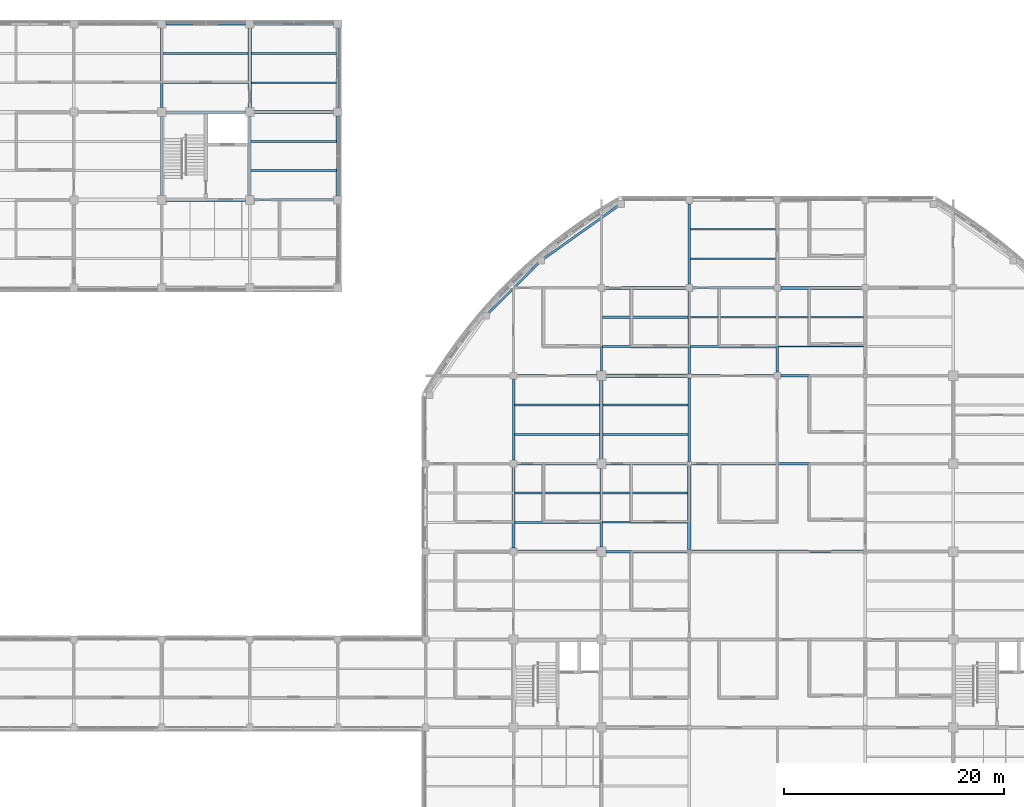
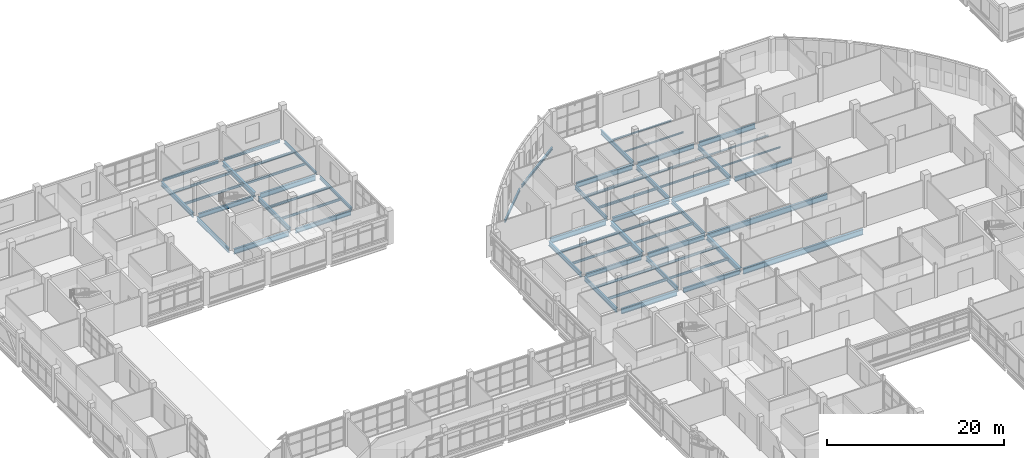
# One storey, part 37 of 121: 59 beams.
"""IFC4 building model written with IfcOpenShell, lengths in metres."""

from ifc_helpers import new_model, si_unit, derived_unit, direction, frame, origin, origin_2d, place, context, subcontext, project, spatial, i_section, extrude, material, material_profile, profile_set, type_object, element, save


model = new_model("IFC4")

# Units and contexts
model_context = context("Model", 3, precision=1e-05, world=origin(), true_north=direction((0.0, 1.0)))
body_context = subcontext(model_context, "Body", "Model", "MODEL_VIEW")
ifc_project = project(units=[si_unit("LENGTHUNIT", "METRE"), si_unit("AREAUNIT", "SQUARE_METRE"), si_unit("VOLUMEUNIT", "CUBIC_METRE"), si_unit("PLANEANGLEUNIT", "RADIAN"), si_unit("MASSUNIT", "GRAM", prefix="KILO"), derived_unit("THERMALTRANSMITTANCEUNIT", [(si_unit("MASSUNIT", "GRAM", prefix="KILO"), 1), (si_unit("TIMEUNIT", "SECOND"), -3), (si_unit("THERMODYNAMICTEMPERATUREUNIT", "KELVIN"), -1)])], contexts=[model_context])

# Site, building, storey
site_placement = place(None, origin())
site = spatial("IfcSite", under=ifc_project, at=site_placement, CompositionType="ELEMENT")
building_placement = place(site_placement, origin())
building = spatial("IfcBuilding", under=site, at=building_placement, Name="Veyamyaing Civic Hall", CompositionType="ELEMENT")
storey_placement = place(building_placement, frame((0.0, 0.0, 5.280029296875)))
storey = spatial("IfcBuildingStorey", under=building, at=storey_placement, Name="L01", CompositionType="ELEMENT", Elevation=5.280029296875)

# Beams
ifc_material = material(Name="Steel ASTM A992", Category="steel")
ifc_material_profile_1 = material_profile(ifc_material, i_section(OverallWidth=0.26806640625, OverallDepth=0.77001953125, WebThickness=0.015625, FlangeThickness=0.025390625, FilletRadius=0.01611328125, at=origin_2d()), Name="W760X196")
ifc_profile_set_1 = profile_set([ifc_material_profile_1], Name="Steel ASTM A992")
beam_type_1 = type_object("IfcBeamType", Name="B-03", PredefinedType="BEAM", material=ifc_profile_set_1)
beam_1_placement = place(storey_placement, frame((80.198974609375, 64.0, -0.630126953125), z_axis=(1.0, 0.0, 0.0), x_axis=(0.0, 1.0, 0.0)))
element("IfcBeam", 1, at=beam_1_placement, inside=storey, type_object=beam_type_1, Name="Girder B-03 L01 Grid J 11-13", PredefinedType="BEAM", context=body_context, shape_type="SweptSolid", body=[
    extrude(i_section(OverallWidth=0.26806640625, OverallDepth=0.77001953125, WebThickness=0.015625, FlangeThickness=0.025390625, FilletRadius=0.01611328125, at=origin_2d()), origin(), (0.0, 0.0, 1.0), 15.60205078125),
])
ifc_material_profile_2 = material_profile(ifc_material, i_section(OverallWidth=0.256103515625, OverallDepth=0.693115234375, WebThickness=0.014404296875, FlangeThickness=0.023681640625, FilletRadius=0.013916015625, at=origin_2d()), Name="W690X170")
ifc_profile_set_2 = profile_set([ifc_material_profile_2], Name="Steel ASTM A992")
beam_type_2 = type_object("IfcBeamType", Name="B-04", PredefinedType="BEAM", material=ifc_profile_set_2)
beam_2_placement = place(storey_placement, frame((64.35009765625, 64.0, -0.591552734375), z_axis=(1.0, 0.0, 0.0), x_axis=(0.0, 1.0, 0.0)))
element("IfcBeam", 2, at=beam_2_placement, inside=storey, type_object=beam_type_2, Name="Girder B-04 L01 Grid J 9-10", PredefinedType="BEAM", context=body_context, shape_type="SweptSolid", body=[
    extrude(i_section(OverallWidth=0.256103515625, OverallDepth=0.693115234375, WebThickness=0.014404296875, FlangeThickness=0.023681640625, FilletRadius=0.013916015625, at=origin_2d()), origin(), (0.0, 0.0, 1.0), 7.224853515625),
])
beam_3_placement = place(storey_placement, frame((80.198974609375, 80.0, -0.591552734375), z_axis=(1.0, 0.0, 0.0), x_axis=(0.0, 1.0, 0.0)))
element("IfcBeam", 3, at=beam_3_placement, inside=storey, type_object=beam_type_2, Name="Girder B-04 L01 Grid L 11-12", PredefinedType="BEAM", context=body_context, shape_type="SweptSolid", body=[
    extrude(i_section(OverallWidth=0.256103515625, OverallDepth=0.693115234375, WebThickness=0.014404296875, FlangeThickness=0.023681640625, FilletRadius=0.013916015625, at=origin_2d()), origin(), (0.0, 0.0, 1.0), 7.450927734375),
])
beam_4_placement = place(storey_placement, frame((72.35009765625, 88.0, -0.591552734375), z_axis=(1.0, 0.0, 0.0), x_axis=(0.0, 1.0, 0.0)))
element("IfcBeam", 4, at=beam_4_placement, inside=storey, type_object=beam_type_2, Name="Girder B-04 L01 Grid M 10-11", PredefinedType="BEAM", context=body_context, shape_type="SweptSolid", body=[
    extrude(i_section(OverallWidth=0.256103515625, OverallDepth=0.693115234375, WebThickness=0.014404296875, FlangeThickness=0.023681640625, FilletRadius=0.013916015625, at=origin_2d()), origin(), (0.0, 0.0, 1.0), 7.2998046875),
])
beam_5_placement = place(storey_placement, frame((32.39990234375, 96.0, -0.591552734375), z_axis=(1.0, 0.0, 0.0), x_axis=(0.0, 1.0, 0.0)))
element("IfcBeam", 5, at=beam_5_placement, inside=storey, type_object=beam_type_2, Name="Girder B-04 L01 Grid N 5-6", PredefinedType="BEAM", context=body_context, shape_type="SweptSolid", body=[
    extrude(i_section(OverallWidth=0.256103515625, OverallDepth=0.693115234375, WebThickness=0.014404296875, FlangeThickness=0.023681640625, FilletRadius=0.013916015625, at=origin_2d()), origin(), (0.0, 0.0, 1.0), 7.2001953125),
])
ifc_material_profile_3 = material_profile(ifc_material, i_section(OverallWidth=0.22998046875, OverallDepth=0.616943359375, WebThickness=0.01318359375, FlangeThickness=0.022216796875, FilletRadius=0.012939453125, at=origin_2d()), Name="W610X140")
ifc_profile_set_3 = profile_set([ifc_material_profile_3], Name="Steel ASTM A992")
beam_type_3 = type_object("IfcBeamType", Name="B-05", PredefinedType="BEAM", material=ifc_profile_set_3)
beam_6_placement = place(storey_placement, frame((72.425048828125, 64.0, -0.553466796875), z_axis=(1.0, 0.0, 0.0), x_axis=(0.0, 1.0, 0.0)))
element("IfcBeam", 6, at=beam_6_placement, inside=storey, type_object=beam_type_3, Name="Girder B-05 L01 Grid J 10-11", PredefinedType="BEAM", context=body_context, shape_type="SweptSolid", body=[
    extrude(i_section(OverallWidth=0.22998046875, OverallDepth=0.616943359375, WebThickness=0.01318359375, FlangeThickness=0.022216796875, FilletRadius=0.012939453125, at=origin_2d()), origin(), (0.0, 0.0, 1.0), 7.3759765625),
])
beam_7_placement = place(storey_placement, frame((64.35009765625, 72.0, -0.553466796875), z_axis=(1.0, 0.0, 0.0), x_axis=(0.0, 1.0, 0.0)))
element("IfcBeam", 7, at=beam_7_placement, inside=storey, type_object=beam_type_3, Name="Girder B-05 L01 Grid K 9-10", PredefinedType="BEAM", context=body_context, shape_type="SweptSolid", body=[
    extrude(i_section(OverallWidth=0.22998046875, OverallDepth=0.616943359375, WebThickness=0.01318359375, FlangeThickness=0.022216796875, FilletRadius=0.012939453125, at=origin_2d()), origin(), (0.0, 0.0, 1.0), 7.224853515625),
])
beam_8_placement = place(storey_placement, frame((88.35009765625, 80.0, -0.553466796875), z_axis=(1.0, 0.0, 0.0), x_axis=(0.0, 1.0, 0.0)))
element("IfcBeam", 8, at=beam_8_placement, inside=storey, type_object=beam_type_3, Name="Girder B-05 L01 Grid L 12-13", PredefinedType="BEAM", context=body_context, shape_type="SweptSolid", body=[
    extrude(i_section(OverallWidth=0.22998046875, OverallDepth=0.616943359375, WebThickness=0.01318359375, FlangeThickness=0.022216796875, FilletRadius=0.012939453125, at=origin_2d()), origin(), (0.0, 0.0, 1.0), 7.450927734375),
])
beam_9_placement = place(storey_placement, frame((80.35009765625, 88.0, -0.553466796875), z_axis=(1.0, 0.0, 0.0), x_axis=(0.0, 1.0, 0.0)))
element("IfcBeam", 9, at=beam_9_placement, inside=storey, type_object=beam_type_3, Name="Girder B-05 L01 Grid M 11-12", PredefinedType="BEAM", context=body_context, shape_type="SweptSolid", body=[
    extrude(i_section(OverallWidth=0.22998046875, OverallDepth=0.616943359375, WebThickness=0.01318359375, FlangeThickness=0.022216796875, FilletRadius=0.012939453125, at=origin_2d()), origin(), (0.0, 0.0, 1.0), 7.2998046875),
])
beam_10_placement = place(storey_placement, frame((40.39990234375, 96.0, -0.553466796875), z_axis=(1.0, 0.0, 0.0), x_axis=(0.0, 1.0, 0.0)))
element("IfcBeam", 10, at=beam_10_placement, inside=storey, type_object=beam_type_3, Name="Girder B-05 L01 Grid N 6-7", PredefinedType="BEAM", context=body_context, shape_type="SweptSolid", body=[
    extrude(i_section(OverallWidth=0.22998046875, OverallDepth=0.616943359375, WebThickness=0.01318359375, FlangeThickness=0.022216796875, FilletRadius=0.012939453125, at=origin_2d()), origin(), (0.0, 0.0, 1.0), 7.22509765625),
])
for number, where, z_axis, x_axis, name in (
    (11, (32.39990234375, 104.0, -0.553466796875), (1.0, 0.0, 0.0), (0.0, 1.0, 0.0), "Girder B-05 L01 Grid P 5-6"),
    (12, (32.0, 96.39990234375, -0.553466796875), (0.0, 1.0, 0.0), (-1.0, 0.0, 0.0), "Girder B-05 L01 Grid 5 N-P"),
):
    element("IfcBeam", number, at=place(storey_placement, frame(where, z_axis=z_axis, x_axis=x_axis)), inside=storey, type_object=beam_type_3, Name=name, PredefinedType="BEAM", context=body_context, shape_type="SweptSolid", body=[
        extrude(i_section(OverallWidth=0.22998046875, OverallDepth=0.616943359375, WebThickness=0.01318359375, FlangeThickness=0.022216796875, FilletRadius=0.012939453125, at=origin_2d()), origin(), (0.0, 0.0, 1.0), 7.2001953125),
    ])
beam_11_placement = place(storey_placement, frame((64.0, 64.35009765625, -0.553466796875), z_axis=(0.0, 1.0, 0.0), x_axis=(-1.0, 0.0, 0.0)))
element("IfcBeam", 13, at=beam_11_placement, inside=storey, type_object=beam_type_3, Name="Girder B-05 L01 Grid 9 J-K", PredefinedType="BEAM", context=body_context, shape_type="SweptSolid", body=[
    extrude(i_section(OverallWidth=0.22998046875, OverallDepth=0.616943359375, WebThickness=0.01318359375, FlangeThickness=0.022216796875, FilletRadius=0.012939453125, at=origin_2d()), origin(), (0.0, 0.0, 1.0), 7.2998046875),
])
beam_12_placement = place(storey_placement, frame((80.0, 80.193603515625, -0.553466796875), z_axis=(0.0, 1.0, 0.0), x_axis=(-1.0, 0.0, 0.0)))
element("IfcBeam", 14, at=beam_12_placement, inside=storey, type_object=beam_type_3, Name="Girder B-05 L01 Grid 11 L-M", PredefinedType="BEAM", context=body_context, shape_type="SweptSolid", body=[
    extrude(i_section(OverallWidth=0.22998046875, OverallDepth=0.616943359375, WebThickness=0.01318359375, FlangeThickness=0.022216796875, FilletRadius=0.012939453125, at=origin_2d()), origin(), (0.0, 0.0, 1.0), 7.456298828125),
])
ifc_material_profile_4 = material_profile(ifc_material, i_section(OverallWidth=0.22802734375, OverallDepth=0.60791015625, WebThickness=0.01123046875, FlangeThickness=0.017333984375, FilletRadius=0.012939453125, at=origin_2d()), Name="W610X113")
ifc_profile_set_4 = profile_set([ifc_material_profile_4], Name="Steel ASTM A992")
beam_type_4 = type_object("IfcBeamType", Name="B-06", PredefinedType="BEAM", material=ifc_profile_set_4)
beam_13_placement = place(storey_placement, frame((32.0, 104.39990234375, -0.549072265625), z_axis=(0.0, 1.0, 0.0), x_axis=(-1.0, 0.0, 0.0)))
element("IfcBeam", 15, at=beam_13_placement, inside=storey, type_object=beam_type_4, Name="Girder B-06 L01 Grid 5 P-Q", PredefinedType="BEAM", context=body_context, shape_type="SweptSolid", body=[
    extrude(i_section(OverallWidth=0.22802734375, OverallDepth=0.60791015625, WebThickness=0.01123046875, FlangeThickness=0.017333984375, FilletRadius=0.012939453125, at=origin_2d()), origin(), (0.0, 0.0, 1.0), 7.22509765625),
])
beam_14_placement = place(storey_placement, frame((40.0, 96.39990234375, -0.549072265625), z_axis=(0.0, 1.0, 0.0), x_axis=(-1.0, 0.0, 0.0)))
element("IfcBeam", 16, at=beam_14_placement, inside=storey, type_object=beam_type_4, Name="Girder B-06 L01 Grid 6 N-P", PredefinedType="BEAM", context=body_context, shape_type="SweptSolid", body=[
    extrude(i_section(OverallWidth=0.22802734375, OverallDepth=0.60791015625, WebThickness=0.01123046875, FlangeThickness=0.017333984375, FilletRadius=0.012939453125, at=origin_2d()), origin(), (0.0, 0.0, 1.0), 7.2001953125),
])
beam_15_placement = place(storey_placement, frame((64.0, 72.35009765625, -0.549072265625), z_axis=(0.0, 1.0, 0.0), x_axis=(-1.0, 0.0, 0.0)))
element("IfcBeam", 17, at=beam_15_placement, inside=storey, type_object=beam_type_4, Name="Girder B-06 L01 Grid 9 K-L", PredefinedType="BEAM", context=body_context, shape_type="SweptSolid", body=[
    extrude(i_section(OverallWidth=0.22802734375, OverallDepth=0.60791015625, WebThickness=0.01123046875, FlangeThickness=0.017333984375, FilletRadius=0.012939453125, at=origin_2d()), origin(), (0.0, 0.0, 1.0), 7.2998046875),
])
beam_16_placement = place(storey_placement, frame((72.0, 64.425048828125, -0.549072265625), z_axis=(0.0, 1.0, 0.0), x_axis=(-1.0, 0.0, 0.0)))
element("IfcBeam", 18, at=beam_16_placement, inside=storey, type_object=beam_type_4, Name="Girder B-06 L01 Grid 10 J-K", PredefinedType="BEAM", context=body_context, shape_type="SweptSolid", body=[
    extrude(i_section(OverallWidth=0.22802734375, OverallDepth=0.60791015625, WebThickness=0.01123046875, FlangeThickness=0.017333984375, FilletRadius=0.012939453125, at=origin_2d()), origin(), (0.0, 0.0, 1.0), 7.14990234375),
])
for number, where, z_axis, x_axis, name in (
    (19, (80.0, 88.35009765625, -0.549072265625), (0.0, 1.0, 0.0), (-1.0, 0.0, 0.0), "Girder B-06 L01 Grid 11 M-N"),
    (20, (88.0, 80.35009765625, -0.549072265625), (0.0, 1.0, 0.0), (-1.0, 0.0, 0.0), "Girder B-06 L01 Grid 12 L-M"),
):
    element("IfcBeam", number, at=place(storey_placement, frame(where, z_axis=z_axis, x_axis=x_axis)), inside=storey, type_object=beam_type_4, Name=name, PredefinedType="BEAM", context=body_context, shape_type="SweptSolid", body=[
        extrude(i_section(OverallWidth=0.22802734375, OverallDepth=0.60791015625, WebThickness=0.01123046875, FlangeThickness=0.017333984375, FilletRadius=0.012939453125, at=origin_2d()), origin(), (0.0, 0.0, 1.0), 7.2998046875),
    ])
ifc_material_profile_5 = material_profile(ifc_material, i_section(OverallWidth=0.179931640625, OverallDepth=0.4130859375, WebThickness=0.009765625, FlangeThickness=0.01611328125, FilletRadius=0.010009765625, at=origin_2d()), Name="W410X74")
ifc_profile_set_5 = profile_set([ifc_material_profile_5], Name="Steel ASTM A992")
beam_type_5 = type_object("IfcBeamType", Name="B-10", PredefinedType="SPANDREL", material=ifc_profile_set_5)
for number, where, z_axis, x_axis, name in (
    (21, (32.375, 112.0, -0.451416015625), (1.0, 0.0, 0.0), (0.0, 1.0, 0.0), "Girder B-10 L01 Grid Q 5-6"),
    (22, (48.0, 96.375, -0.451416015625), (0.0, 1.0, 0.0), (-1.0, 0.0, 0.0), "Girder B-10 L01 Grid 7 N-P"),
):
    element("IfcBeam", number, at=place(storey_placement, frame(where, z_axis=z_axis, x_axis=x_axis)), inside=storey, type_object=beam_type_5, Name=name, PredefinedType="SPANDREL", context=body_context, shape_type="SweptSolid", body=[
        extrude(i_section(OverallWidth=0.179931640625, OverallDepth=0.4130859375, WebThickness=0.009765625, FlangeThickness=0.01611328125, FilletRadius=0.010009765625, at=origin_2d()), origin(), (0.0, 0.0, 1.0), 7.25),
    ])
ifc_material_profile_6 = material_profile(ifc_material, i_section(OverallWidth=0.2041015625, OverallDepth=0.35009765625, WebThickness=0.0078125, FlangeThickness=0.01513671875, FilletRadius=0.010009765625, at=origin_2d()), Name="W360X72")
ifc_profile_set_6 = profile_set([ifc_material_profile_6], Name="Steel ASTM A992")
beam_type_6 = type_object("IfcBeamType", Name="B-11", PredefinedType="SPANDREL", material=ifc_profile_set_6)
for number, where, z_axis, x_axis, name in (
    (23, (40.375, 112.0, -0.419921875), (1.0, 0.0, 0.0), (0.0, 1.0, 0.0), "Girder B-11 L01 Grid Q 6-7"),
    (24, (48.0, 104.375, -0.419921875), (0.0, 1.0, 0.0), (-1.0, 0.0, 0.0), "Girder B-11 L01 Grid 7 P-Q"),
):
    element("IfcBeam", number, at=place(storey_placement, frame(where, z_axis=z_axis, x_axis=x_axis)), inside=storey, type_object=beam_type_6, Name=name, PredefinedType="SPANDREL", context=body_context, shape_type="SweptSolid", body=[
        extrude(i_section(OverallWidth=0.2041015625, OverallDepth=0.35009765625, WebThickness=0.0078125, FlangeThickness=0.01513671875, FilletRadius=0.010009765625, at=origin_2d()), origin(), (0.0, 0.0, 1.0), 7.25),
    ])
beam_17_placement = place(storey_placement, frame((73.53466796875, 95.462646484375, -0.419921875), z_axis=(-0.815567262109, -0.578662285773, 0.0), x_axis=(0.578662285773, -0.815567262109, 0.0)))
element("IfcBeam", 25, at=beam_17_placement, inside=storey, type_object=beam_type_6, Name="Curved corner spandrel B-11 L01 NW.1", PredefinedType="SPANDREL", context=body_context, shape_type="SweptSolid", body=[
    extrude(i_section(OverallWidth=0.2041015625, OverallDepth=0.35009765625, WebThickness=0.0078125, FlangeThickness=0.01513671875, FilletRadius=0.010009765625, at=origin_2d()), origin(), (0.0, 0.0, 1.0), 8.284423828125),
])
beam_18_placement = place(storey_placement, frame((66.3212890625, 90.282958984375, -0.419921875), z_axis=(-0.707106781187, -0.707106781187, 0.0), x_axis=(0.707106781187, -0.707106781187, 0.0)))
element("IfcBeam", 26, at=beam_18_placement, inside=storey, type_object=beam_type_6, Name="Curved corner spandrel B-11 L01 NW.2", PredefinedType="SPANDREL", context=body_context, shape_type="SweptSolid", body=[
    extrude(i_section(OverallWidth=0.2041015625, OverallDepth=0.35009765625, WebThickness=0.0078125, FlangeThickness=0.01513671875, FilletRadius=0.010009765625, at=origin_2d()), origin(), (0.0, 0.0, 1.0), 6.511474609375),
])
ifc_material_profile_7 = material_profile(ifc_material, i_section(OverallWidth=0.26611328125, OverallDepth=0.758056640625, WebThickness=0.013916015625, FlangeThickness=0.019287109375, FilletRadius=0.01611328125, at=origin_2d()), Name="W760X161")
ifc_profile_set_7 = profile_set([ifc_material_profile_7], Name="Steel ASTM A992")
beam_type_7 = type_object("IfcBeamType", Name="B-13", PredefinedType="BEAM", material=ifc_profile_set_7)
beam_19_placement = place(storey_placement, frame((80.198974609375, 72.0, -0.6240234375), z_axis=(1.0, 0.0, 0.0), x_axis=(0.0, 1.0, 0.0)))
element("IfcBeam", 27, at=beam_19_placement, inside=storey, type_object=beam_type_7, Name="Girder B-13 L01 Grid K 11-13", PredefinedType="BEAM", context=body_context, shape_type="SweptSolid", body=[
    extrude(i_section(OverallWidth=0.26611328125, OverallDepth=0.758056640625, WebThickness=0.013916015625, FlangeThickness=0.019287109375, FilletRadius=0.01611328125, at=origin_2d()), origin(), (0.0, 0.0, 1.0), 15.60205078125),
])
ifc_material_profile_8 = material_profile(ifc_material, i_section(OverallWidth=0.25390625, OverallDepth=0.68408203125, WebThickness=0.012451171875, FlangeThickness=0.01904296875, FilletRadius=0.013916015625, at=origin_2d()), Name="W690X140")
ifc_profile_set_8 = profile_set([ifc_material_profile_8], Name="Steel ASTM A992")
beam_type_8 = type_object("IfcBeamType", Name="B-14", PredefinedType="BEAM", material=ifc_profile_set_8)
beam_20_placement = place(storey_placement, frame((72.425048828125, 72.0, -0.5869140625), z_axis=(1.0, 0.0, 0.0), x_axis=(0.0, 1.0, 0.0)))
element("IfcBeam", 28, at=beam_20_placement, inside=storey, type_object=beam_type_8, Name="Girder B-14 L01 Grid K 10-11", PredefinedType="BEAM", context=body_context, shape_type="SweptSolid", body=[
    extrude(i_section(OverallWidth=0.25390625, OverallDepth=0.68408203125, WebThickness=0.012451171875, FlangeThickness=0.01904296875, FilletRadius=0.013916015625, at=origin_2d()), origin(), (0.0, 0.0, 1.0), 7.3759765625),
])
beam_21_placement = place(storey_placement, frame((64.35009765625, 80.0, -0.5869140625), z_axis=(1.0, 0.0, 0.0), x_axis=(0.0, 1.0, 0.0)))
element("IfcBeam", 29, at=beam_21_placement, inside=storey, type_object=beam_type_8, Name="Girder B-14 L01 Grid L 9-10", PredefinedType="BEAM", context=body_context, shape_type="SweptSolid", body=[
    extrude(i_section(OverallWidth=0.25390625, OverallDepth=0.68408203125, WebThickness=0.012451171875, FlangeThickness=0.01904296875, FilletRadius=0.013916015625, at=origin_2d()), origin(), (0.0, 0.0, 1.0), 7.224853515625),
])
beam_22_placement = place(storey_placement, frame((88.35009765625, 88.0, -0.5869140625), z_axis=(1.0, 0.0, 0.0), x_axis=(0.0, 1.0, 0.0)))
element("IfcBeam", 30, at=beam_22_placement, inside=storey, type_object=beam_type_8, Name="Girder B-14 L01 Grid M 12-13", PredefinedType="BEAM", context=body_context, shape_type="SweptSolid", body=[
    extrude(i_section(OverallWidth=0.25390625, OverallDepth=0.68408203125, WebThickness=0.012451171875, FlangeThickness=0.01904296875, FilletRadius=0.013916015625, at=origin_2d()), origin(), (0.0, 0.0, 1.0), 7.2998046875),
])
beam_23_placement = place(storey_placement, frame((40.39990234375, 104.0, -0.5869140625), z_axis=(1.0, 0.0, 0.0), x_axis=(0.0, 1.0, 0.0)))
element("IfcBeam", 31, at=beam_23_placement, inside=storey, type_object=beam_type_8, Name="Girder B-14 L01 Grid P 6-7", PredefinedType="BEAM", context=body_context, shape_type="SweptSolid", body=[
    extrude(i_section(OverallWidth=0.25390625, OverallDepth=0.68408203125, WebThickness=0.012451171875, FlangeThickness=0.01904296875, FilletRadius=0.013916015625, at=origin_2d()), origin(), (0.0, 0.0, 1.0), 7.22509765625),
])
ifc_material_profile_9 = material_profile(ifc_material, i_section(OverallWidth=0.324951171875, OverallDepth=0.615966796875, WebThickness=0.013916015625, FlangeThickness=0.021484375, FilletRadius=0.013916015625, at=origin_2d()), Name="W610X174")
ifc_profile_set_9 = profile_set([ifc_material_profile_9], Name="Steel ASTM A992")
beam_type_9 = type_object("IfcBeamType", Name="B-15", PredefinedType="BEAM", material=ifc_profile_set_9)
beam_24_placement = place(storey_placement, frame((72.425048828125, 80.0, -0.552978515625), z_axis=(1.0, 0.0, 0.0), x_axis=(0.0, 1.0, 0.0)))
element("IfcBeam", 32, at=beam_24_placement, inside=storey, type_object=beam_type_9, Name="Girder B-15 L01 Grid L 10-11", PredefinedType="BEAM", context=body_context, shape_type="SweptSolid", body=[
    extrude(i_section(OverallWidth=0.324951171875, OverallDepth=0.615966796875, WebThickness=0.013916015625, FlangeThickness=0.021484375, FilletRadius=0.013916015625, at=origin_2d()), origin(), (0.0, 0.0, 1.0), 7.3759765625),
])
beam_25_placement = place(storey_placement, frame((40.0, 104.39990234375, -0.552978515625), z_axis=(0.0, 1.0, 0.0), x_axis=(-1.0, 0.0, 0.0)))
element("IfcBeam", 33, at=beam_25_placement, inside=storey, type_object=beam_type_9, Name="Girder B-15 L01 Grid 6 P-Q", PredefinedType="BEAM", context=body_context, shape_type="SweptSolid", body=[
    extrude(i_section(OverallWidth=0.324951171875, OverallDepth=0.615966796875, WebThickness=0.013916015625, FlangeThickness=0.021484375, FilletRadius=0.013916015625, at=origin_2d()), origin(), (0.0, 0.0, 1.0), 7.22509765625),
])
beam_26_placement = place(storey_placement, frame((72.0, 72.425048828125, -0.552978515625), z_axis=(0.0, 1.0, 0.0), x_axis=(-1.0, 0.0, 0.0)))
element("IfcBeam", 34, at=beam_26_placement, inside=storey, type_object=beam_type_9, Name="Girder B-15 L01 Grid 10 K-L", PredefinedType="BEAM", context=body_context, shape_type="SweptSolid", body=[
    extrude(i_section(OverallWidth=0.324951171875, OverallDepth=0.615966796875, WebThickness=0.013916015625, FlangeThickness=0.021484375, FilletRadius=0.013916015625, at=origin_2d()), origin(), (0.0, 0.0, 1.0), 7.14990234375),
])
beam_27_placement = place(storey_placement, frame((80.0, 64.193603515625, -0.552978515625), z_axis=(0.0, 1.0, 0.0), x_axis=(-1.0, 0.0, 0.0)))
element("IfcBeam", 35, at=beam_27_placement, inside=storey, type_object=beam_type_9, Name="Girder B-15 L01 Grid 11 J-K", PredefinedType="BEAM", context=body_context, shape_type="SweptSolid", body=[
    extrude(i_section(OverallWidth=0.324951171875, OverallDepth=0.615966796875, WebThickness=0.013916015625, FlangeThickness=0.021484375, FilletRadius=0.013916015625, at=origin_2d()), origin(), (0.0, 0.0, 1.0), 7.61279296875),
])
ifc_material_profile_10 = material_profile(ifc_material, i_section(OverallWidth=0.214111328125, OverallDepth=0.549072265625, WebThickness=0.0146484375, FlangeThickness=0.023681640625, FilletRadius=0.011962890625, at=origin_2d()), Name="W530X138")
ifc_profile_set_10 = profile_set([ifc_material_profile_10], Name="Steel ASTM A992")
beam_type_10 = type_object("IfcBeamType", Name="B-16", PredefinedType="BEAM", material=ifc_profile_set_10)
beam_28_placement = place(storey_placement, frame((72.0, 80.425048828125, -0.51953125), z_axis=(0.0, 1.0, 0.0), x_axis=(-1.0, 0.0, 0.0)))
element("IfcBeam", 36, at=beam_28_placement, inside=storey, type_object=beam_type_10, Name="Girder B-16 L01 Grid 10 L-M", PredefinedType="BEAM", context=body_context, shape_type="SweptSolid", body=[
    extrude(i_section(OverallWidth=0.214111328125, OverallDepth=0.549072265625, WebThickness=0.0146484375, FlangeThickness=0.023681640625, FilletRadius=0.011962890625, at=origin_2d()), origin(), (0.0, 0.0, 1.0), 7.224853515625),
])
beam_29_placement = place(storey_placement, frame((80.0, 72.193603515625, -0.51953125), z_axis=(0.0, 1.0, 0.0), x_axis=(-1.0, 0.0, 0.0)))
element("IfcBeam", 37, at=beam_29_placement, inside=storey, type_object=beam_type_10, Name="Girder B-16 L01 Grid 11 K-L", PredefinedType="BEAM", context=body_context, shape_type="SweptSolid", body=[
    extrude(i_section(OverallWidth=0.214111328125, OverallDepth=0.549072265625, WebThickness=0.0146484375, FlangeThickness=0.023681640625, FilletRadius=0.011962890625, at=origin_2d()), origin(), (0.0, 0.0, 1.0), 7.61279296875),
])
ifc_material_profile_11 = material_profile(ifc_material, i_section(OverallWidth=0.1708984375, OverallDepth=0.35205078125, WebThickness=0.0068359375, FlangeThickness=0.009765625, FilletRadius=0.010009765625, at=origin_2d()), Name="W360X44")
ifc_profile_set_11 = profile_set([ifc_material_profile_11], Name="Steel ASTM A992")
beam_type_11 = type_object("IfcBeamType", Name="J-03", PredefinedType="JOIST", material=ifc_profile_set_11)
for number, where, z_axis, x_axis, name in (
    (38, (64.113037109375, 66.666748046875, -0.421142578125), (1.0, 0.0, 0.0), (0.0, 1.0, 0.0), "Composite floor joist J-03 L01 9.9.1"),
    (39, (64.113037109375, 69.333251953125, -0.421142578125), (1.0, 0.0, 0.0), (0.0, 1.0, 0.0), "Composite floor joist J-03 L01 9.9.2"),
):
    element("IfcBeam", number, at=place(storey_placement, frame(where, z_axis=z_axis, x_axis=x_axis)), inside=storey, type_object=beam_type_11, Name=name, PredefinedType="JOIST", context=body_context, shape_type="SweptSolid", body=[
        extrude(i_section(OverallWidth=0.1708984375, OverallDepth=0.35205078125, WebThickness=0.0068359375, FlangeThickness=0.009765625, FilletRadius=0.010009765625, at=origin_2d()), origin(), (0.0, 0.0, 1.0), 7.77490234375),
    ])
ifc_material_profile_12 = material_profile(ifc_material, i_section(OverallWidth=0.1669921875, OverallDepth=0.318115234375, WebThickness=0.007568359375, FlangeThickness=0.01318359375, FilletRadius=0.010009765625, at=origin_2d()), Name="W310X52")
ifc_profile_set_12 = profile_set([ifc_material_profile_12], Name="Steel ASTM A992")
beam_type_12 = type_object("IfcBeamType", Name="J-04", PredefinedType="JOIST", material=ifc_profile_set_12)
for number, where, z_axis, x_axis, name in (
    (40, (32.112060546875, 106.666748046875, -0.404052734375), (1.0, 0.0, 0.0), (0.0, 1.0, 0.0), "Composite floor joist J-04 L01 5.14.1"),
    (41, (32.112060546875, 109.333251953125, -0.404052734375), (1.0, 0.0, 0.0), (0.0, 1.0, 0.0), "Composite floor joist J-04 L01 5.14.2"),
):
    element("IfcBeam", number, at=place(storey_placement, frame(where, z_axis=z_axis, x_axis=x_axis)), inside=storey, type_object=beam_type_12, Name=name, PredefinedType="JOIST", context=body_context, shape_type="SweptSolid", body=[
        extrude(i_section(OverallWidth=0.1669921875, OverallDepth=0.318115234375, WebThickness=0.007568359375, FlangeThickness=0.01318359375, FilletRadius=0.010009765625, at=origin_2d()), origin(), (0.0, 0.0, 1.0), 7.7275390625),
    ])
for number, where, z_axis, x_axis, name in (
    (42, (40.112060546875, 98.666748046875, -0.404052734375), (1.0, 0.0, 0.0), (0.0, 1.0, 0.0), "Composite floor joist J-04 L01 6.13.1"),
    (43, (40.112060546875, 101.333251953125, -0.404052734375), (1.0, 0.0, 0.0), (0.0, 1.0, 0.0), "Composite floor joist J-04 L01 6.13.2"),
):
    element("IfcBeam", number, at=place(storey_placement, frame(where, z_axis=z_axis, x_axis=x_axis)), inside=storey, type_object=beam_type_12, Name=name, PredefinedType="JOIST", context=body_context, shape_type="SweptSolid", body=[
        extrude(i_section(OverallWidth=0.1669921875, OverallDepth=0.318115234375, WebThickness=0.007568359375, FlangeThickness=0.01318359375, FilletRadius=0.010009765625, at=origin_2d()), origin(), (0.0, 0.0, 1.0), 7.800048828125),
    ])
for number, where, z_axis, x_axis, name in (
    (44, (64.112060546875, 74.666748046875, -0.404052734375), (1.0, 0.0, 0.0), (0.0, 1.0, 0.0), "Composite floor joist J-04 L01 9.10.1"),
    (45, (64.112060546875, 77.333251953125, -0.404052734375), (1.0, 0.0, 0.0), (0.0, 1.0, 0.0), "Composite floor joist J-04 L01 9.10.2"),
    (46, (72.112060546875, 66.666748046875, -0.404052734375), (1.0, 0.0, 0.0), (0.0, 1.0, 0.0), "Composite floor joist J-04 L01 10.9.1"),
    (47, (72.112060546875, 69.333251953125, -0.404052734375), (1.0, 0.0, 0.0), (0.0, 1.0, 0.0), "Composite floor joist J-04 L01 10.9.2"),
):
    element("IfcBeam", number, at=place(storey_placement, frame(where, z_axis=z_axis, x_axis=x_axis)), inside=storey, type_object=beam_type_12, Name=name, PredefinedType="JOIST", context=body_context, shape_type="SweptSolid", body=[
        extrude(i_section(OverallWidth=0.1669921875, OverallDepth=0.318115234375, WebThickness=0.007568359375, FlangeThickness=0.01318359375, FilletRadius=0.010009765625, at=origin_2d()), origin(), (0.0, 0.0, 1.0), 7.7275390625),
    ])
ifc_material_profile_13 = material_profile(ifc_material, i_section(OverallWidth=0.1650390625, OverallDepth=0.31005859375, WebThickness=0.005859375, FlangeThickness=0.009765625, FilletRadius=0.010009765625, at=origin_2d()), Name="W310X39")
ifc_profile_set_13 = profile_set([ifc_material_profile_13], Name="Steel ASTM A992")
beam_type_13 = type_object("IfcBeamType", Name="J-05", PredefinedType="JOIST", material=ifc_profile_set_13)
for number, where, z_axis, x_axis, name in (
    (48, (40.160400390625, 106.666748046875, -0.400146484375), (1.0, 0.0, 0.0), (0.0, 1.0, 0.0), "Composite floor joist J-05 L01 6.14.1"),
    (49, (40.160400390625, 109.333251953125, -0.400146484375), (1.0, 0.0, 0.0), (0.0, 1.0, 0.0), "Composite floor joist J-05 L01 6.14.2"),
):
    element("IfcBeam", number, at=place(storey_placement, frame(where, z_axis=z_axis, x_axis=x_axis)), inside=storey, type_object=beam_type_13, Name=name, PredefinedType="JOIST", context=body_context, shape_type="SweptSolid", body=[
        extrude(i_section(OverallWidth=0.1650390625, OverallDepth=0.31005859375, WebThickness=0.005859375, FlangeThickness=0.009765625, FilletRadius=0.010009765625, at=origin_2d()), origin(), (0.0, 0.0, 1.0), 7.739501953125),
    ])
for number, where, z_axis, x_axis, name in (
    (50, (72.160400390625, 74.666748046875, -0.400146484375), (1.0, 0.0, 0.0), (0.0, 1.0, 0.0), "Composite floor joist J-05 L01 10.10.1"),
    (51, (72.160400390625, 77.333251953125, -0.400146484375), (1.0, 0.0, 0.0), (0.0, 1.0, 0.0), "Composite floor joist J-05 L01 10.10.2"),
):
    element("IfcBeam", number, at=place(storey_placement, frame(where, z_axis=z_axis, x_axis=x_axis)), inside=storey, type_object=beam_type_13, Name=name, PredefinedType="JOIST", context=body_context, shape_type="SweptSolid", body=[
        extrude(i_section(OverallWidth=0.1650390625, OverallDepth=0.31005859375, WebThickness=0.005859375, FlangeThickness=0.009765625, FilletRadius=0.010009765625, at=origin_2d()), origin(), (0.0, 0.0, 1.0), 7.734619140625),
    ])
ifc_material_profile_14 = material_profile(ifc_material, i_section(OverallWidth=0.2041015625, OverallDepth=0.305908203125, WebThickness=0.008544921875, FlangeThickness=0.0146484375, FilletRadius=0.010009765625, at=origin_2d()), Name="W310X67")
ifc_profile_set_14 = profile_set([ifc_material_profile_14], Name="Steel ASTM A992")
beam_type_14 = type_object("IfcBeamType", Name="J-06", PredefinedType="JOIST", material=ifc_profile_set_14)
for number, where, z_axis, x_axis, name in (
    (52, (72.10498046875, 82.666748046875, -0.39794921875), (1.0, 0.0, 0.0), (0.0, 1.0, 0.0), "Composite floor joist J-06 L01 10.11.1"),
    (53, (72.10498046875, 85.333251953125, -0.39794921875), (1.0, 0.0, 0.0), (0.0, 1.0, 0.0), "Composite floor joist J-06 L01 10.11.2"),
):
    element("IfcBeam", number, at=place(storey_placement, frame(where, z_axis=z_axis, x_axis=x_axis)), inside=storey, type_object=beam_type_14, Name=name, PredefinedType="JOIST", context=body_context, shape_type="SweptSolid", body=[
        extrude(i_section(OverallWidth=0.2041015625, OverallDepth=0.305908203125, WebThickness=0.008544921875, FlangeThickness=0.0146484375, FilletRadius=0.010009765625, at=origin_2d()), origin(), (0.0, 0.0, 1.0), 7.781982421875),
    ])
ifc_material_profile_15 = material_profile(ifc_material, i_section(OverallWidth=0.14794921875, OverallDepth=0.26611328125, WebThickness=0.007568359375, FlangeThickness=0.012939453125, FilletRadius=0.010009765625, at=origin_2d()), Name="W250X45")
ifc_profile_set_15 = profile_set([ifc_material_profile_15], Name="Steel ASTM A992")
beam_type_15 = type_object("IfcBeamType", Name="J-07", PredefinedType="JOIST", material=ifc_profile_set_15)
for number, where, z_axis, x_axis, name in (
    (54, (80.113037109375, 82.666748046875, -0.3779296875), (1.0, 0.0, 0.0), (0.0, 1.0, 0.0), "Composite floor joist J-07 L01 11.11.1"),
    (55, (80.113037109375, 85.333251953125, -0.3779296875), (1.0, 0.0, 0.0), (0.0, 1.0, 0.0), "Composite floor joist J-07 L01 11.11.2"),
):
    element("IfcBeam", number, at=place(storey_placement, frame(where, z_axis=z_axis, x_axis=x_axis)), inside=storey, type_object=beam_type_15, Name=name, PredefinedType="JOIST", context=body_context, shape_type="SweptSolid", body=[
        extrude(i_section(OverallWidth=0.14794921875, OverallDepth=0.26611328125, WebThickness=0.007568359375, FlangeThickness=0.012939453125, FilletRadius=0.010009765625, at=origin_2d()), origin(), (0.0, 0.0, 1.0), 7.77490234375),
    ])
ifc_material_profile_16 = material_profile(ifc_material, i_section(OverallWidth=0.133056640625, OverallDepth=0.20703125, WebThickness=0.005859375, FlangeThickness=0.00830078125, FilletRadius=0.010009765625, at=origin_2d()), Name="W200X27")
ifc_profile_set_16 = profile_set([ifc_material_profile_16], Name="Steel ASTM A992")
beam_type_16 = type_object("IfcBeamType", Name="J-08", PredefinedType="JOIST", material=ifc_profile_set_16)
for number, where, z_axis, x_axis, name in (
    (56, (80.112060546875, 90.666748046875, -0.3486328125), (1.0, 0.0, 0.0), (0.0, 1.0, 0.0), "Composite floor joist J-08 L01 11.12.1"),
    (57, (80.112060546875, 93.333251953125, -0.3486328125), (1.0, 0.0, 0.0), (0.0, 1.0, 0.0), "Composite floor joist J-08 L01 11.12.2"),
    (58, (88.112060546875, 82.666748046875, -0.3486328125), (1.0, 0.0, 0.0), (0.0, 1.0, 0.0), "Composite floor joist J-08 L01 12.11.1"),
    (59, (88.112060546875, 85.333251953125, -0.3486328125), (1.0, 0.0, 0.0), (0.0, 1.0, 0.0), "Composite floor joist J-08 L01 12.11.2"),
):
    element("IfcBeam", number, at=place(storey_placement, frame(where, z_axis=z_axis, x_axis=x_axis)), inside=storey, type_object=beam_type_16, Name=name, PredefinedType="JOIST", context=body_context, shape_type="SweptSolid", body=[
        extrude(i_section(OverallWidth=0.133056640625, OverallDepth=0.20703125, WebThickness=0.005859375, FlangeThickness=0.00830078125, FilletRadius=0.010009765625, at=origin_2d()), origin(), (0.0, 0.0, 1.0), 7.7275390625),
    ])

save(model, "model.ifc")
